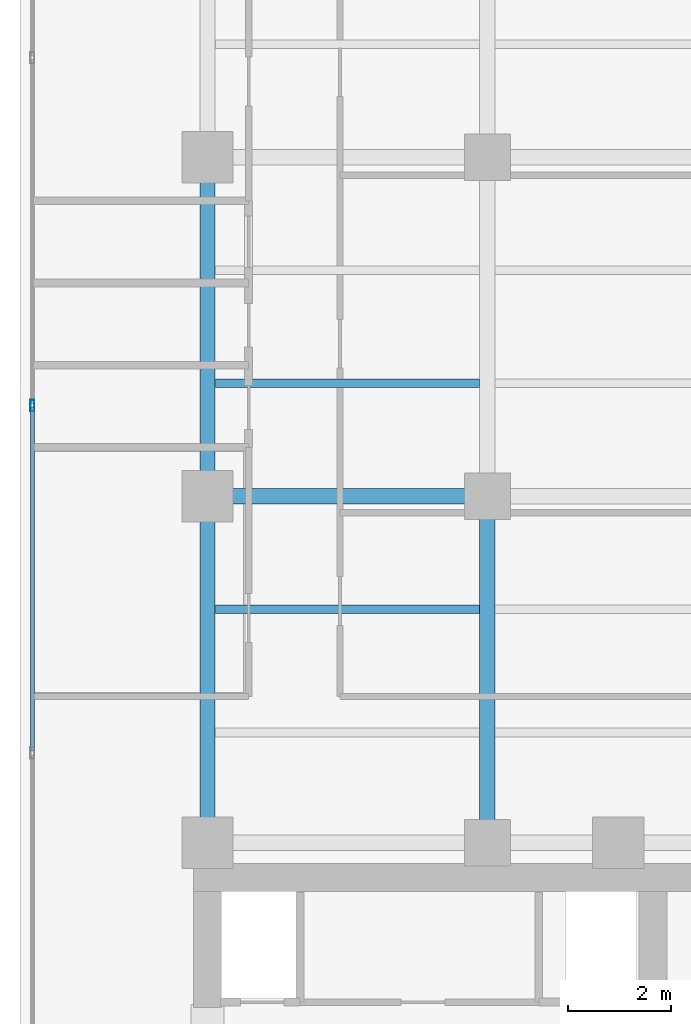
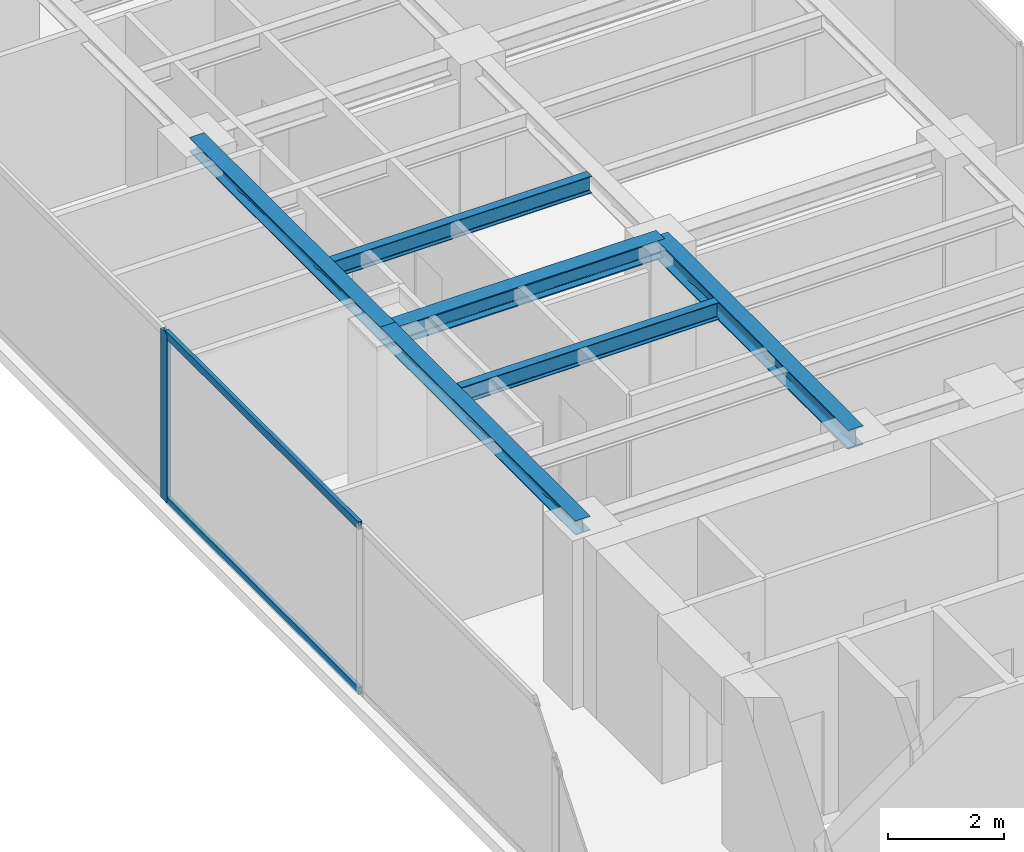
# One storey, part 8 of 23: 6 beams, 3 members, 1 element without a shape of its own.
"""IFC4 building model written with IfcOpenShell, lengths in metres."""

from ifc_helpers import new_model, si_unit, direction, frame, origin, origin_with_axes, origin_2d, place, context, subcontext, project, spatial, hollow_rectangle, i_section, extrude, source, transform, mapped, material, layer, layer_set, material_profile, profile_set, type_object, element, aggregate, save


model = new_model("IFC4")

# Units and contexts
model_context = context("Model", 3, precision=1e-05, world=origin(), true_north=direction((0.0, 1.0)))
body_context = subcontext(model_context, "Body", "Model", "MODEL_VIEW")
ifc_project = project(units=[si_unit("LENGTHUNIT", "METRE"), si_unit("AREAUNIT", "SQUARE_METRE"), si_unit("VOLUMEUNIT", "CUBIC_METRE"), si_unit("PLANEANGLEUNIT", "RADIAN"), si_unit("MASSUNIT", "GRAM", prefix="KILO")], contexts=[model_context])

# Site, building, storey
site_placement = place(None, origin())
site = spatial("IfcSite", under=ifc_project, at=site_placement, CompositionType="ELEMENT")
building_placement = place(site_placement, origin())
building = spatial("IfcBuilding", under=site, at=building_placement, Name="Kolvaren Waterfront Exchange", CompositionType="ELEMENT")
storey_placement = place(building_placement, frame((0.0, 0.0, 231.10009765625)))
storey = spatial("IfcBuildingStorey", under=building, at=storey_placement, Name="L59", CompositionType="ELEMENT", Elevation=231.10009765625)

# Beams
ifc_material_1 = material(Name="Steel S355", Category="steel")
ifc_material_profile_1 = material_profile(ifc_material_1, i_section(OverallWidth=0.300048828125, OverallDepth=0.300048828125, WebThickness=0.010986328125, FlangeThickness=0.01904296875, FilletRadius=0.027099609375, at=origin_2d()), Name="HEB300")
ifc_profile_set_1 = profile_set([ifc_material_profile_1], Name="Steel S355")
beam_type_1 = type_object("IfcBeamType", Name="STR-BM-HEB300", PredefinedType="SPANDREL", material=ifc_profile_set_1)
beam_1_placement = place(storey_placement, frame((7.449951171875, 24.449951171875, 3.409912109375), z_axis=(0.0, 1.0, 0.0), x_axis=(-1.0, 0.0, 0.0)))
element("IfcBeam", 1, at=beam_1_placement, inside=storey, type_object=beam_type_1, Name="L59 north-arm edge beam 1", PredefinedType="SPANDREL", context=body_context, shape_type="SweptSolid", body=[
    extrude(i_section(OverallWidth=0.300048828125, OverallDepth=0.300048828125, WebThickness=0.010986328125, FlangeThickness=0.01904296875, FilletRadius=0.027099609375, at=origin_2d()), origin(), (0.0, 0.0, 1.0), 6.75),
])
beam_2_placement = place(storey_placement, frame((7.449951171875, 31.199951171875, 3.409912109375), z_axis=(0.0, 1.0, 0.0), x_axis=(-1.0, 0.0, 0.0)))
element("IfcBeam", 2, at=beam_2_placement, inside=storey, type_object=beam_type_1, Name="L59 north-arm edge beam 2", PredefinedType="SPANDREL", context=body_context, shape_type="SweptSolid", body=[
    extrude(i_section(OverallWidth=0.300048828125, OverallDepth=0.300048828125, WebThickness=0.010986328125, FlangeThickness=0.01904296875, FilletRadius=0.027099609375, at=origin_2d()), origin(), (0.0, 0.0, 1.0), 6.60009765625),
])
ifc_material_profile_2 = material_profile(ifc_material_1, i_section(OverallWidth=0.300048828125, OverallDepth=0.39990234375, WebThickness=0.013427734375, FlangeThickness=0.02392578125, FilletRadius=0.027099609375, at=origin_2d()), Name="HEB400")
ifc_profile_set_2 = profile_set([ifc_material_profile_2], Name="Steel S355")
beam_type_2 = type_object("IfcBeamType", Name="STR-BM-HEB400", PredefinedType="BEAM", material=ifc_profile_set_2)
beam_3_placement = place(storey_placement, frame((7.449951171875, 31.199951171875, 3.35986328125), z_axis=(1.0, 0.0, 0.0), x_axis=(0.0, 1.0, 0.0)))
element("IfcBeam", 3, at=beam_3_placement, inside=storey, type_object=beam_type_2, Name="L59 north-arm girder 2A", PredefinedType="BEAM", context=body_context, shape_type="SweptSolid", body=[
    extrude(i_section(OverallWidth=0.300048828125, OverallDepth=0.39990234375, WebThickness=0.013427734375, FlangeThickness=0.02392578125, FilletRadius=0.027099609375, at=origin_2d()), origin(), (0.0, 0.0, 1.0), 5.449951171875),
])
beam_4_placement = place(storey_placement, frame((12.89990234375, 24.449951171875, 3.35986328125), z_axis=(0.0, 1.0, 0.0), x_axis=(-1.0, 0.0, 0.0)))
element("IfcBeam", 4, at=beam_4_placement, inside=storey, type_object=beam_type_2, Name="L59 north-arm edge beam 1", PredefinedType="BEAM", context=body_context, shape_type="SweptSolid", body=[
    extrude(i_section(OverallWidth=0.300048828125, OverallDepth=0.39990234375, WebThickness=0.013427734375, FlangeThickness=0.02392578125, FilletRadius=0.027099609375, at=origin_2d()), origin(), (0.0, 0.0, 1.0), 6.75),
])
ifc_material_profile_3 = material_profile(ifc_material_1, i_section(OverallWidth=0.169921875, OverallDepth=0.360107421875, WebThickness=0.008056640625, FlangeThickness=0.0126953125, FilletRadius=0.01806640625, at=origin_2d()), Name="IPE360")
ifc_profile_set_3 = profile_set([ifc_material_profile_3], Name="Steel S355")
beam_type_3 = type_object("IfcBeamType", Name="STR-BM-IPE360", PredefinedType="JOIST", material=ifc_profile_set_3)
for number, where, z_axis, x_axis, name in (
    (5, (7.60205078125, 29.0, 3.3798828125), (1.0, 0.0, 0.0), (0.0, 1.0, 0.0), "L59 north-arm composite joist 2A"),
    (6, (7.60205078125, 33.39990234375, 3.3798828125), (1.0, 0.0, 0.0), (0.0, 1.0, 0.0), "L59 north-arm composite joist 3A"),
):
    element("IfcBeam", number, at=place(storey_placement, frame(where, z_axis=z_axis, x_axis=x_axis)), inside=storey, type_object=beam_type_3, Name=name, PredefinedType="JOIST", context=body_context, shape_type="SweptSolid", body=[
        extrude(i_section(OverallWidth=0.169921875, OverallDepth=0.360107421875, WebThickness=0.008056640625, FlangeThickness=0.0126953125, FilletRadius=0.01806640625, at=origin_2d()), origin(), (0.0, 0.0, 1.0), 5.14599609375),
    ])

# Curtain wall, members
ifc_material_2 = material(Name="Anodised aluminium 6063-T6", Category="aluminium")
ifc_layer = layer(ifc_material_2, 0.219970703125, Name="Anodised aluminium 6063-T6")
ifc_layer_set = layer_set([ifc_layer], Name="Anodised aluminium 6063-T6")
curtain_wall_type = type_object("IfcCurtainWallType", Name="ARC-CW-SYS2", PredefinedType="USERDEFINED", material=ifc_layer_set)
curtain_wall_placement = place(storey_placement, origin())
curtain_wall = element("IfcCurtainWall", 7, at=curtain_wall_placement, inside=storey, type_object=curtain_wall_type, Name="L59 stick curtain wall CW2 (CW-L59-W)", ObjectType="STICK CURTAIN WALL", PredefinedType="USERDEFINED")
ifc_material_profile_4 = material_profile(ifc_material_2, hollow_rectangle(XDim=0.074951171875, YDim=0.159912109375, WallThickness=0.00439453125, at=origin_2d()), Name="ALU-TRN-160x75x4.5")
ifc_profile_set_4 = profile_set([ifc_material_profile_4], Name="Anodised aluminium 6063-T6")
member_type_1 = type_object("IfcMemberType", Name="ARC-CWT-160", PredefinedType="USERDEFINED", material=ifc_profile_set_4)
shared_shape_1 = source(origin_with_axes(), body_context, "Body", "SweptSolid", [
    extrude(hollow_rectangle(XDim=0.074951171875, YDim=0.159912109375, WallThickness=0.00439453125, at=origin_2d()), origin(), (0.0, 0.0, 1.0), 6.686767578125),
])
member_1_placement = place(storey_placement, frame((4.0400390625, 26.239990234375, 0.037353515625), z_axis=(0.0, 1.0, 0.0), x_axis=(-1.0, 0.0, 0.0)))
member_1 = element("IfcMember", 8, at=member_1_placement, type_object=member_type_1, Name="CW2 transom 4.1", ObjectType="TRANSOM", PredefinedType="USERDEFINED", context=body_context, shape_type="MappedRepresentation", body=[
    mapped(shared_shape_1, transform((0.0, 0.0, 0.0), x_axis=(1.0, 0.0, 0.0), y_axis=(0.0, 1.0, 0.0), z_axis=(0.0, 0.0, 1.0), scale=1.0)),
])
member_2_placement = place(storey_placement, frame((4.0400390625, 26.239990234375, 3.5224609375), z_axis=(0.0, 1.0, 0.0), x_axis=(-1.0, 0.0, 0.0)))
member_2 = element("IfcMember", 9, at=member_2_placement, type_object=member_type_1, Name="CW2 transom 4.2", ObjectType="TRANSOM", PredefinedType="USERDEFINED", context=body_context, shape_type="MappedRepresentation", body=[
    mapped(shared_shape_1, transform((0.0, 0.0, 0.0), x_axis=(1.0, 0.0, 0.0), y_axis=(0.0, 1.0, 0.0), z_axis=(0.0, 0.0, 1.0), scale=1.0)),
])
ifc_material_profile_5 = material_profile(ifc_material_2, hollow_rectangle(XDim=0.080078125, YDim=0.219970703125, WallThickness=0.0048828125, at=origin_2d()), Name="ALU-MUL-220x80x5")
ifc_profile_set_5 = profile_set([ifc_material_profile_5], Name="Anodised aluminium 6063-T6")
member_type_2 = type_object("IfcMemberType", Name="ARC-CWM-220", PredefinedType="MULLION", material=ifc_profile_set_5)
shared_shape_2 = source(origin_with_axes(), body_context, "Body", "SweptSolid", [
    extrude(hollow_rectangle(XDim=0.080078125, YDim=0.219970703125, WallThickness=0.0048828125, at=origin_2d()), origin(), (0.0, 0.0, 1.0), 3.559814453125),
])
member_3_placement = place(storey_placement, frame((4.0400390625, 32.966552734375, 0.0), z_axis=(0.0, 0.0, 1.0), x_axis=(-1.0, 0.0, 0.0)))
member_3 = element("IfcMember", 10, at=member_3_placement, type_object=member_type_2, Name="CW2 mullion 5", PredefinedType="MULLION", context=body_context, shape_type="MappedRepresentation", body=[
    mapped(shared_shape_2, transform((0.0, 0.0, 0.0), x_axis=(1.0, 0.0, 0.0), y_axis=(0.0, 1.0, 0.0), z_axis=(0.0, 0.0, 1.0), scale=1.0)),
])
aggregate(curtain_wall, [member_3, member_1, member_2])

save(model, "model.ifc")
